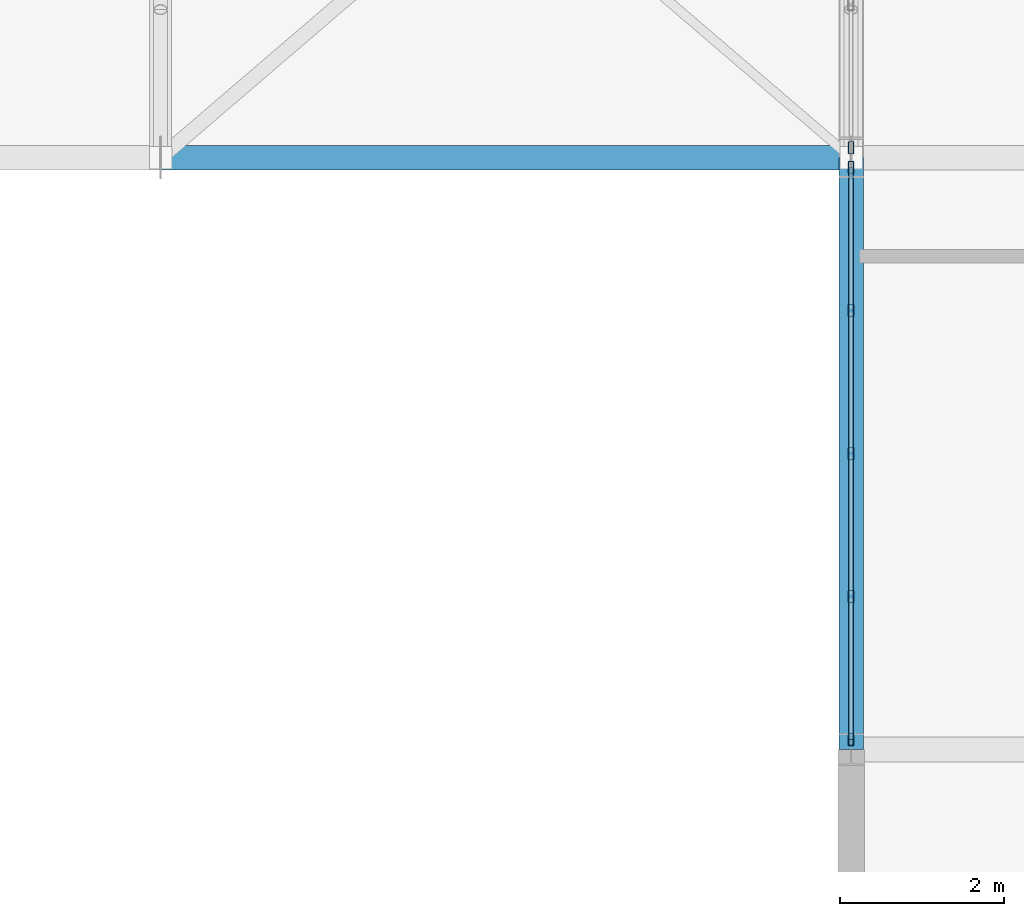
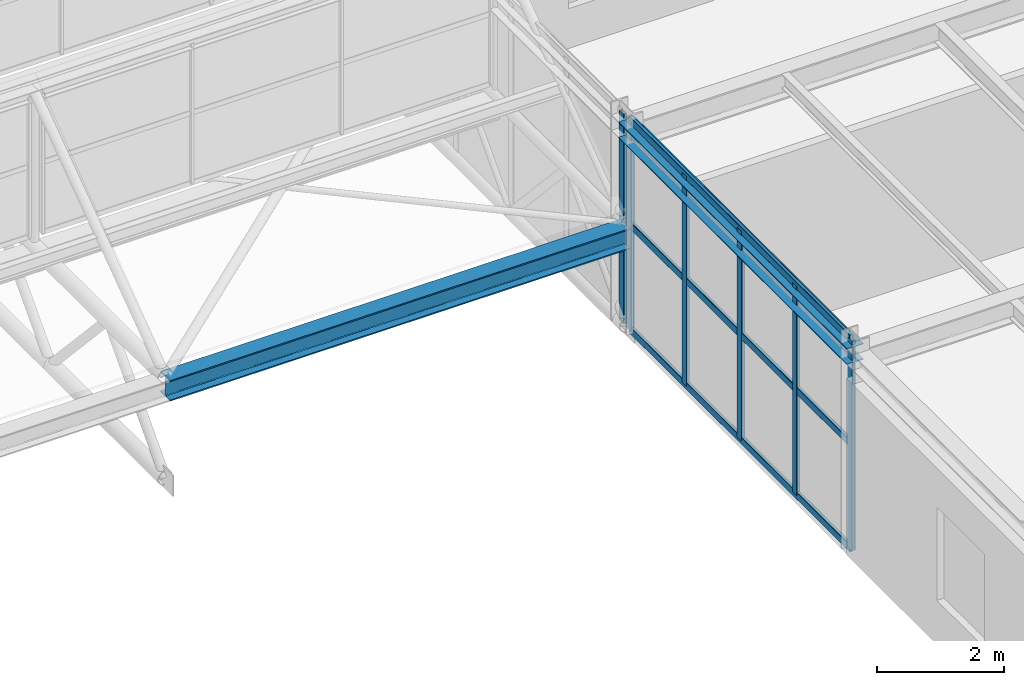
# One storey, part 83 of 134: 9 members, 2 beams, 2 elements without a shape of their own.
"""IFC4 building model written with IfcOpenShell, lengths in metres."""

from ifc_helpers import new_model, si_unit, derived_unit, direction, frame, origin, origin_2d, place, context, subcontext, project, spatial, hollow_rectangle, i_section, extrude, material, material_profile, profile_set, type_object, element, aggregate, save


model = new_model("IFC4")

# Units and contexts
model_context = context("Model", 3, precision=1e-05, world=origin(), true_north=direction((0.0, 1.0)))
body_context = subcontext(model_context, "Body", "Model", "MODEL_VIEW")
ifc_project = project(units=[si_unit("LENGTHUNIT", "METRE"), si_unit("AREAUNIT", "SQUARE_METRE"), si_unit("VOLUMEUNIT", "CUBIC_METRE"), si_unit("PLANEANGLEUNIT", "RADIAN"), si_unit("MASSUNIT", "GRAM", prefix="KILO"), derived_unit("THERMALTRANSMITTANCEUNIT", [(si_unit("MASSUNIT", "GRAM", prefix="KILO"), 1), (si_unit("TIMEUNIT", "SECOND"), -3), (si_unit("THERMODYNAMICTEMPERATUREUNIT", "KELVIN"), -1)])], contexts=[model_context])

# Site, building, storey
site_placement = place(None, origin())
site = spatial("IfcSite", under=ifc_project, at=site_placement, CompositionType="ELEMENT")
building_placement = place(site_placement, origin())
building = spatial("IfcBuilding", under=site, at=building_placement, Name="Kharveza Railside Sports Centre", CompositionType="ELEMENT")
storey_placement = place(building_placement, frame((0.0, 0.0, 12.89990234375)))
storey = spatial("IfcBuildingStorey", under=building, at=storey_placement, Name="L03", CompositionType="ELEMENT", Elevation=12.89990234375)

# Beams
ifc_material_1 = material(Name="Steel S355J2", Category="steel")
ifc_material_profile_1 = material_profile(ifc_material_1, i_section(OverallWidth=0.300048828125, OverallDepth=0.39990234375, WebThickness=0.013427734375, FlangeThickness=0.02392578125, FilletRadius=0.027099609375, at=origin_2d()), Name="HEB 400")
ifc_profile_set_1 = profile_set([ifc_material_profile_1], Name="Steel S355J2")
beam_type_1 = type_object("IfcBeamType", Name="BM-G07", PredefinedType="T_BEAM", material=ifc_profile_set_1)
beam_1_placement = place(storey_placement, frame((134.39990234375, 79.199951171875, 1.760009765625), z_axis=(1.0, 0.0, 0.0), x_axis=(0.0, 1.0, 0.0)))
element("IfcBeam", 1, at=beam_1_placement, inside=storey, type_object=beam_type_1, Name="BM-V2SAW-VAL-1-6", PredefinedType="T_BEAM", context=body_context, shape_type="SweptSolid", body=[
    extrude(i_section(OverallWidth=0.300048828125, OverallDepth=0.39990234375, WebThickness=0.013427734375, FlangeThickness=0.02392578125, FilletRadius=0.027099609375, at=origin_2d()), origin(), (0.0, 0.0, 1.0), 8.400146484375),
])
ifc_material_profile_2 = material_profile(ifc_material_1, i_section(OverallWidth=0.300048828125, OverallDepth=0.31005859375, WebThickness=0.009033203125, FlangeThickness=0.015380859375, FilletRadius=0.027099609375, at=origin_2d()), Name="HEA 320")
ifc_profile_set_2 = profile_set([ifc_material_profile_2], Name="Steel S355J2")
beam_type_2 = type_object("IfcBeamType", Name="BM-S06", PredefinedType="BEAM", material=ifc_profile_set_2)
beam_2_placement = place(storey_placement, frame((142.800048828125, 72.0, 3.80517578125), z_axis=(0.0, 1.0, 0.0), x_axis=(-1.0, 0.0, 0.0)))
element("IfcBeam", 2, at=beam_2_placement, inside=storey, type_object=beam_type_2, Name="BM-NS-L03-B14-X1428-Y720", PredefinedType="BEAM", context=body_context, shape_type="SweptSolid", body=[
    extrude(i_section(OverallWidth=0.300048828125, OverallDepth=0.31005859375, WebThickness=0.009033203125, FlangeThickness=0.015380859375, FilletRadius=0.027099609375, at=origin_2d()), origin(), (0.0, 0.0, 1.0), 7.199951171875),
])

# Curtain wall, member
ifc_material_2 = material(Name="Low-E solar-control laminated glass", Category="glass")
curtain_wall_type = type_object("IfcCurtainWallType", Name="CW-WG02", PredefinedType="NOTDEFINED", material=ifc_material_2)
curtain_wall_1_placement = place(storey_placement, origin())
curtain_wall_1 = element("IfcCurtainWall", 3, at=curtain_wall_1_placement, inside=storey, type_object=curtain_wall_type, Name="CW-WG-L03-CW-WG02-X1428-Y828", PredefinedType="NOTDEFINED")
ifc_material_3 = material(Name="Anodised aluminium 6063-T6", Category="aluminium")
ifc_material_profile_3 = material_profile(ifc_material_3, hollow_rectangle(XDim=0.06494140625, YDim=0.14990234375, WallThickness=0.0048828125, InnerFilletRadius=0.0048828125, OuterFilletRadius=0.010009765625, at=origin_2d()), Name="RHS 65x150x5.0")
ifc_profile_set_3 = profile_set([ifc_material_profile_3], Name="Anodised aluminium 6063-T6")
member_type_1 = type_object("IfcMemberType", Name="CW-ML04", PredefinedType="MULLION", material=ifc_profile_set_3)
member_1_placement = place(storey_placement, frame((142.800048828125, 79.320068359375, 0.0), z_axis=(0.0, 0.0, 1.0), x_axis=(1.0, 0.0, 0.0)))
member_1 = element("IfcMember", 4, at=member_1_placement, type_object=member_type_1, Name="CW-WG-L03-CW-WG02-X1428-Y828-ML5", PredefinedType="MULLION", context=body_context, shape_type="SweptSolid", body=[
    extrude(hollow_rectangle(XDim=0.06494140625, YDim=0.14990234375, WallThickness=0.0048828125, InnerFilletRadius=0.0048828125, OuterFilletRadius=0.010009765625, at=origin_2d()), origin(), (0.0, 0.0, 1.0), 4.03515625),
])
aggregate(curtain_wall_1, [member_1])

# Curtain wall, members
curtain_wall_2_placement = place(storey_placement, origin())
curtain_wall_2 = element("IfcCurtainWall", 5, at=curtain_wall_2_placement, inside=storey, type_object=curtain_wall_type, Name="CW-WG-L03-CW-WG02-X1428-Y756", PredefinedType="NOTDEFINED")
member_2_placement = place(storey_placement, frame((142.800048828125, 79.080078125, 0.0), z_axis=(0.0, 0.0, 1.0), x_axis=(1.0, 0.0, 0.0)))
member_2 = element("IfcMember", 6, at=member_2_placement, type_object=member_type_1, Name="CW-WG-L03-CW-WG02-X1428-Y756-ML1", PredefinedType="MULLION", context=body_context, shape_type="SweptSolid", body=[
    extrude(hollow_rectangle(XDim=0.06494140625, YDim=0.14990234375, WallThickness=0.0048828125, InnerFilletRadius=0.0048828125, OuterFilletRadius=0.010009765625, at=origin_2d()), origin(), (0.0, 0.0, 1.0), 4.03515625),
])
member_3_placement = place(storey_placement, frame((142.800048828125, 77.340087890625, 0.0), z_axis=(0.0, 0.0, 1.0), x_axis=(1.0, 0.0, 0.0)))
member_3 = element("IfcMember", 7, at=member_3_placement, type_object=member_type_1, Name="CW-WG-L03-CW-WG02-X1428-Y756-ML2", PredefinedType="MULLION", context=body_context, shape_type="SweptSolid", body=[
    extrude(hollow_rectangle(XDim=0.06494140625, YDim=0.14990234375, WallThickness=0.0048828125, InnerFilletRadius=0.0048828125, OuterFilletRadius=0.010009765625, at=origin_2d()), origin(), (0.0, 0.0, 1.0), 4.03515625),
])
member_4_placement = place(storey_placement, frame((142.800048828125, 75.60009765625, 0.0), z_axis=(0.0, 0.0, 1.0), x_axis=(1.0, 0.0, 0.0)))
member_4 = element("IfcMember", 8, at=member_4_placement, type_object=member_type_1, Name="CW-WG-L03-CW-WG02-X1428-Y756-ML3", PredefinedType="MULLION", context=body_context, shape_type="SweptSolid", body=[
    extrude(hollow_rectangle(XDim=0.06494140625, YDim=0.14990234375, WallThickness=0.0048828125, InnerFilletRadius=0.0048828125, OuterFilletRadius=0.010009765625, at=origin_2d()), origin(), (0.0, 0.0, 1.0), 4.03515625),
])
member_5_placement = place(storey_placement, frame((142.800048828125, 73.860107421875, 0.0), z_axis=(0.0, 0.0, 1.0), x_axis=(1.0, 0.0, 0.0)))
member_5 = element("IfcMember", 9, at=member_5_placement, type_object=member_type_1, Name="CW-WG-L03-CW-WG02-X1428-Y756-ML4", PredefinedType="MULLION", context=body_context, shape_type="SweptSolid", body=[
    extrude(hollow_rectangle(XDim=0.06494140625, YDim=0.14990234375, WallThickness=0.0048828125, InnerFilletRadius=0.0048828125, OuterFilletRadius=0.010009765625, at=origin_2d()), origin(), (0.0, 0.0, 1.0), 4.03515625),
])
member_6_placement = place(storey_placement, frame((142.800048828125, 72.1201171875, 0.0), z_axis=(0.0, 0.0, 1.0), x_axis=(1.0, 0.0, 0.0)))
member_6 = element("IfcMember", 10, at=member_6_placement, type_object=member_type_1, Name="CW-WG-L03-CW-WG02-X1428-Y756-ML5", PredefinedType="MULLION", context=body_context, shape_type="SweptSolid", body=[
    extrude(hollow_rectangle(XDim=0.06494140625, YDim=0.14990234375, WallThickness=0.0048828125, InnerFilletRadius=0.0048828125, OuterFilletRadius=0.010009765625, at=origin_2d()), origin(), (0.0, 0.0, 1.0), 4.03515625),
])
ifc_material_profile_4 = material_profile(ifc_material_3, hollow_rectangle(XDim=0.06005859375, YDim=0.139892578125, WallThickness=0.0048828125, InnerFilletRadius=0.0048828125, OuterFilletRadius=0.010009765625, at=origin_2d()), Name="RHS 60x140x5.0")
ifc_profile_set_4 = profile_set([ifc_material_profile_4], Name="Anodised aluminium 6063-T6")
member_type_2 = type_object("IfcMemberType", Name="CW-TR04", PredefinedType="USERDEFINED", material=ifc_profile_set_4)
member_7_placement = place(storey_placement, frame((142.800048828125, 79.080078125, 0.0), z_axis=(0.0, -1.0, 0.0), x_axis=(1.0, 0.0, 0.0)))
member_7 = element("IfcMember", 11, at=member_7_placement, type_object=member_type_2, Name="CW-WG-L03-CW-WG02-X1428-Y756-TR1", ObjectType="TRANSOM", PredefinedType="USERDEFINED", context=body_context, shape_type="SweptSolid", body=[
    extrude(hollow_rectangle(XDim=0.06005859375, YDim=0.139892578125, WallThickness=0.0048828125, InnerFilletRadius=0.0048828125, OuterFilletRadius=0.010009765625, at=origin_2d()), origin(), (0.0, 0.0, 1.0), 6.9599609375),
])
member_8_placement = place(storey_placement, frame((142.800048828125, 79.080078125, 2.017578125), z_axis=(0.0, -1.0, 0.0), x_axis=(1.0, 0.0, 0.0)))
member_8 = element("IfcMember", 12, at=member_8_placement, type_object=member_type_2, Name="CW-WG-L03-CW-WG02-X1428-Y756-TR2", ObjectType="TRANSOM", PredefinedType="USERDEFINED", context=body_context, shape_type="SweptSolid", body=[
    extrude(hollow_rectangle(XDim=0.06005859375, YDim=0.139892578125, WallThickness=0.0048828125, InnerFilletRadius=0.0048828125, OuterFilletRadius=0.010009765625, at=origin_2d()), origin(), (0.0, 0.0, 1.0), 6.9599609375),
])
member_9_placement = place(storey_placement, frame((142.800048828125, 79.080078125, 4.03515625), z_axis=(0.0, -1.0, 0.0), x_axis=(1.0, 0.0, 0.0)))
member_9 = element("IfcMember", 13, at=member_9_placement, type_object=member_type_2, Name="CW-WG-L03-CW-WG02-X1428-Y756-TR3", ObjectType="TRANSOM", PredefinedType="USERDEFINED", context=body_context, shape_type="SweptSolid", body=[
    extrude(hollow_rectangle(XDim=0.06005859375, YDim=0.139892578125, WallThickness=0.0048828125, InnerFilletRadius=0.0048828125, OuterFilletRadius=0.010009765625, at=origin_2d()), origin(), (0.0, 0.0, 1.0), 6.9599609375),
])
aggregate(curtain_wall_2, [member_2, member_3, member_4, member_5, member_6, member_7, member_8, member_9])

save(model, "model.ifc")
